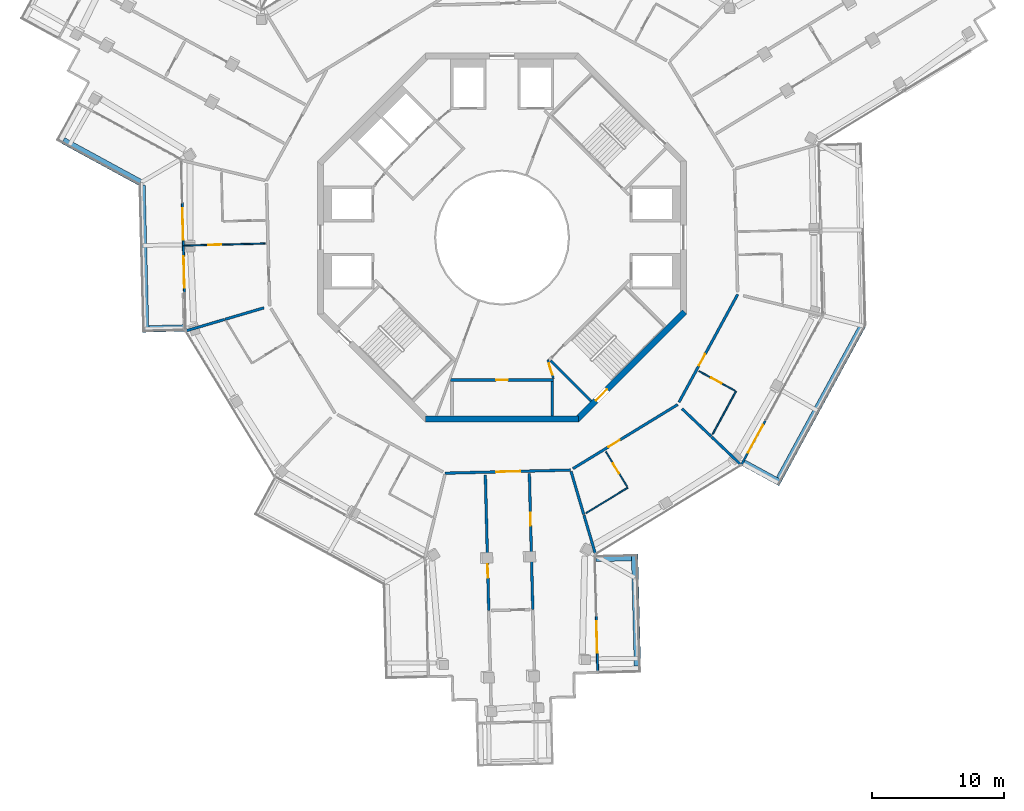
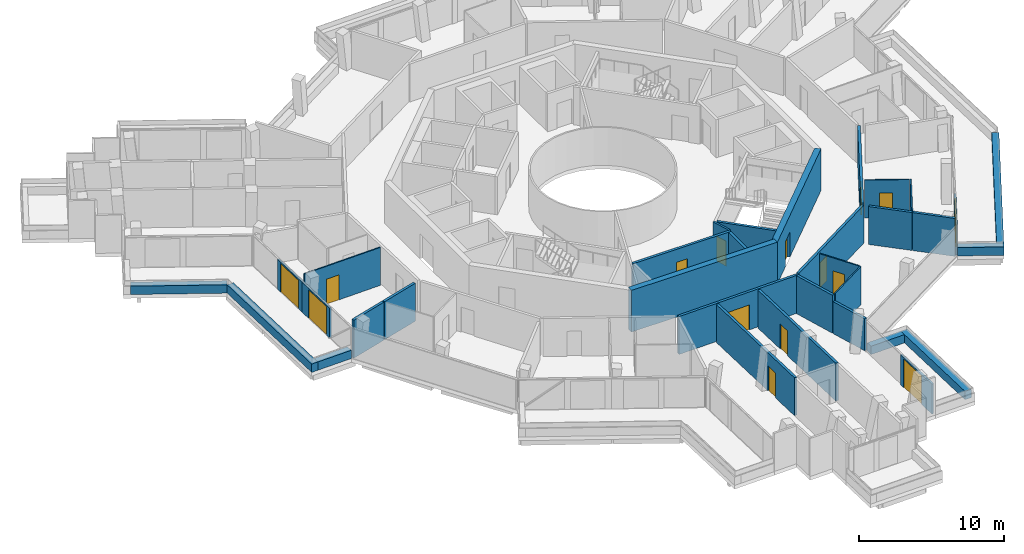
# One storey, part 19 of 26: 33 walls, 15 doors, 15 openings.
"""IFC4 building model written with IfcOpenShell, lengths in metres."""

from ifc_helpers import new_model, si_unit, direction, frame, frame_2d, origin, place, context, subcontext, project, spatial, rectangle, extrude, material, layer, layer_set, type_object, element, fill, save


model = new_model("IFC4")

# Units and contexts
model_context = context("Model", 3, precision=1e-05, world=origin(), true_north=direction((0.0, 1.0)))
body_context = subcontext(model_context, "Body", "Model", "MODEL_VIEW")
ifc_project = project(units=[si_unit("LENGTHUNIT", "METRE"), si_unit("AREAUNIT", "SQUARE_METRE"), si_unit("VOLUMEUNIT", "CUBIC_METRE"), si_unit("PLANEANGLEUNIT", "RADIAN"), si_unit("MASSUNIT", "GRAM", prefix="KILO")], contexts=[model_context])

# Site, building, storey
site_placement = place(None, origin())
site = spatial("IfcSite", under=ifc_project, at=site_placement, CompositionType="ELEMENT")
building_placement = place(site_placement, origin())
building = spatial("IfcBuilding", under=site, at=building_placement, Name="Verdalira Terraces Hotel", CompositionType="ELEMENT")
storey_placement = place(building_placement, frame((0.0, 0.0, 284.5)))
storey = spatial("IfcBuildingStorey", under=building, at=storey_placement, Name="L70", CompositionType="ELEMENT", Elevation=284.5)

# Walls
ifc_material_1 = material(Name="Concrete C40", Category="concrete")
ifc_layer_1 = layer(ifc_material_1, 0.5)
ifc_layer_set_1 = layer_set([ifc_layer_1], Name="Balcony planter trough with tree")
wall_type_1 = type_object("IfcWallType", Name="Balcony planter trough with tree", PredefinedType="SOLIDWALL", material=ifc_layer_set_1)
wall_1_placement = place(storey_placement, frame((-33.286377, 7.358887, 0.0), z_axis=(0.0, 0.0, 1.0), x_axis=(0.878330268, -0.478054328, 0.0)))
element("IfcWall", 1, at=wall_1_placement, inside=storey, type_object=wall_type_1, Name="Balcony planter", PredefinedType="SOLIDWALL", context=body_context, shape_type="SweptSolid", body=[
    extrude(rectangle(XDim=6.648193, YDim=0.5, at=frame_2d((3.324219, 0.0))), origin(), (0.0, 0.0, 1.0), 0.699951),
])
wall_2_placement = place(storey_placement, frame((-27.31665, 3.967285, 0.0), z_axis=(0.0, 0.0, 1.0), x_axis=(0.025131113, -0.999684164, 0.0)))
element("IfcWall", 2, at=wall_2_placement, inside=storey, type_object=wall_type_1, Name="Balcony planter", PredefinedType="SOLIDWALL", context=body_context, shape_type="SweptSolid", body=[
    extrude(rectangle(XDim=11.152344, YDim=0.5, at=frame_2d((5.576172, 0.0))), origin(), (0.0, 0.0, 1.0), 0.699951),
])
wall_3_placement = place(storey_placement, frame((-26.792725, -6.925537, 0.0), z_axis=(0.0, 0.0, 1.0), x_axis=(0.999683736, 0.025148138, 0.0)))
element("IfcWall", 3, at=wall_3_placement, inside=storey, type_object=wall_type_1, Name="Balcony planter", PredefinedType="SOLIDWALL", context=body_context, shape_type="SweptSolid", body=[
    extrude(rectangle(XDim=2.69873, YDim=0.5, at=frame_2d((1.349365, 0.0))), origin(), (0.0, 0.0, 1.0), 0.699951),
])
wall_4_placement = place(storey_placement, frame((10.27002, -32.506348, 0.0), z_axis=(0.0, 0.0, 1.0), x_axis=(-0.025115681, 0.999684552, 0.0)))
element("IfcWall", 4, at=wall_4_placement, inside=storey, type_object=wall_type_1, Name="Balcony planter", PredefinedType="SOLIDWALL", context=body_context, shape_type="SweptSolid", body=[
    extrude(rectangle(XDim=8.49585, YDim=0.5, at=frame_2d((4.248047, 0.0))), origin(), (0.0, 0.0, 1.0), 0.699951),
])
wall_5_placement = place(storey_placement, frame((9.812988, -24.269287, 0.0), z_axis=(0.0, 0.0, 1.0), x_axis=(-0.999683793, -0.025145864, 0.0)))
element("IfcWall", 5, at=wall_5_placement, inside=storey, type_object=wall_type_1, Name="Balcony planter", PredefinedType="SOLIDWALL", context=body_context, shape_type="SweptSolid", body=[
    extrude(rectangle(XDim=2.698975, YDim=0.5, at=frame_2d((1.349609, 0.0))), origin(), (0.0, 0.0, 1.0), 0.699951),
])
wall_6_placement = place(storey_placement, frame((18.319336, -17.087402, 0.0), z_axis=(0.0, 0.0, 1.0), x_axis=(0.878332693, -0.478049873, 0.0)))
element("IfcWall", 6, at=wall_6_placement, inside=storey, type_object=wall_type_1, Name="Balcony planter", PredefinedType="SOLIDWALL", context=body_context, shape_type="SweptSolid", body=[
    extrude(rectangle(XDim=3.198975, YDim=0.5, at=frame_2d((1.599609, 0.0))), origin(), (0.0, 0.0, 1.0), 0.699951),
])
wall_7_placement = place(storey_placement, frame((21.029053, -18.277588, 0.0), z_axis=(0.0, 0.0, 1.0), x_axis=(0.478078384, 0.878317174, 0.0)))
element("IfcWall", 7, at=wall_7_placement, inside=storey, type_object=wall_type_1, Name="Balcony planter", PredefinedType="SOLIDWALL", context=body_context, shape_type="SweptSolid", body=[
    extrude(rectangle(XDim=13.223389, YDim=0.5, at=frame_2d((6.611816, 0.0))), origin(), (0.0, 0.0, 1.0), 0.699951),
])

# Wall, opening, door
ifc_material_2 = material(Name="Moisture-resistant gypsum board partition")
ifc_layer_2 = layer(ifc_material_2, 0.10009765625)
ifc_layer_set_2 = layer_set([ifc_layer_2], Name="Bathroom partition 100 mm")
wall_type_2 = type_object("IfcWallType", Name="Bathroom partition 100 mm", PredefinedType="PARTITIONING", material=ifc_layer_set_2)
wall_8_placement = place(storey_placement, frame((-24.100586, -0.605713, 0.0), z_axis=(0.0, 0.0, 1.0), x_axis=(0.999685212, 0.025089391, 0.0)))
wall_8 = element("IfcWall", 8, at=wall_8_placement, inside=storey, type_object=wall_type_2, Name="Bathroom partition", PredefinedType="PARTITIONING", context=body_context, shape_type="SweptSolid", body=[
    extrude(rectangle(XDim=6.149902, YDim=0.100098, at=frame_2d((3.074951, 0.0))), origin(), (0.0, 0.0, 1.0), 3.189941),
])
opening_1_placement = place(wall_8_placement, frame((1.800049, 0.0, 0.0)))
opening_1 = element("IfcOpeningElement", 9, at=opening_1_placement, cuts=wall_8, Name="Opening L70-106", PredefinedType="OPENING", context=body_context, shape_type="SweptSolid", body=[
    extrude(rectangle(XDim=1.0, YDim=2.100098, at=frame_2d((0.5, 1.050049))), frame((0.0, 0.060059, 0.0), z_axis=(0.0, -1.0, 0.0), x_axis=(1.0, 0.0, 0.0)), (0.0, 0.0, 1.0), 0.120117),
])
ifc_material_3 = material(Name="Timber door", Category="wood")
door_type_1 = type_object("IfcDoorType", Name="Suite internal door 1000 x 2100", OperationType="NOTDEFINED", PredefinedType="DOOR", material=ifc_material_3)
door_1_placement = place(opening_1_placement, origin())
door_1 = element("IfcDoor", 10, at=door_1_placement, inside=storey, type_object=door_type_1, Name="Suite internal door 7002", OperationType="SINGLE_SWING_LEFT", OverallHeight=2.10009765625, OverallWidth=1.0, PredefinedType="DOOR", context=body_context, shape_type="SweptSolid", body=[
    extrude(rectangle(XDim=1.0, YDim=2.100098, at=frame_2d((0.5, 1.050049))), frame((0.0, 0.024902, 0.0), z_axis=(0.0, -1.0, 0.0), x_axis=(1.0, 0.0, 0.0)), (0.0, 0.0, 1.0), 0.050049),
])
fill(opening_1, door_1)

# Wall
wall_9_placement = place(storey_placement, frame((9.536133, -18.969238, 0.0), z_axis=(0.0, 0.0, 1.0), x_axis=(-0.853200356, -0.521583314, 0.0)))
element("IfcWall", 11, at=wall_9_placement, inside=storey, type_object=wall_type_2, Name="Bathroom partition", PredefinedType="PARTITIONING", context=body_context, shape_type="SweptSolid", body=[
    extrude(rectangle(XDim=3.703857, YDim=0.100098, at=frame_2d((1.852051, 0.0))), origin(), (0.0, 0.0, 1.0), 3.189941),
])

# Wall, opening, door
wall_10_placement = place(storey_placement, frame((9.483887, -18.883789, 0.0), z_axis=(0.0, 0.0, 1.0), x_axis=(-0.521612471, 0.85318253, 0.0)))
wall_10 = element("IfcWall", 12, at=wall_10_placement, inside=storey, type_object=wall_type_2, Name="Bathroom partition", PredefinedType="PARTITIONING", context=body_context, shape_type="SweptSolid", body=[
    extrude(rectangle(XDim=3.099854, YDim=0.100098, at=frame_2d((1.549805, 0.0))), origin(), (0.0, 0.0, 1.0), 3.189941),
])
opening_2_placement = place(wall_10_placement, frame((1.149902, 0.0, 0.0)))
opening_2 = element("IfcOpeningElement", 13, at=opening_2_placement, cuts=wall_10, Name="Opening L70-118", PredefinedType="OPENING", context=body_context, shape_type="SweptSolid", body=[
    extrude(rectangle(XDim=0.899902, YDim=2.100098, at=frame_2d((0.449951, 1.050049))), frame((0.0, 0.060059, 0.0), z_axis=(0.0, -1.0, 0.0), x_axis=(1.0, 0.0, 0.0)), (0.0, 0.0, 1.0), 0.120117),
])
ifc_material_4 = material(Name="Timber door", Category="wood")
door_type_2 = type_object("IfcDoorType", Name="Bathroom door 900 x 2100", OperationType="NOTDEFINED", PredefinedType="DOOR", material=ifc_material_4)
door_2_placement = place(opening_2_placement, origin())
door_2 = element("IfcDoor", 14, at=door_2_placement, inside=storey, type_object=door_type_2, Name="Bathroom door 7006", OperationType="SINGLE_SWING_LEFT", OverallHeight=2.10009765625, OverallWidth=0.89990234375, PredefinedType="DOOR", context=body_context, shape_type="SweptSolid", body=[
    extrude(rectangle(XDim=0.899902, YDim=2.100098, at=frame_2d((0.449951, 1.050049))), frame((0.0, 0.024902, 0.0), z_axis=(0.0, -1.0, 0.0), x_axis=(1.0, 0.0, 0.0)), (0.0, 0.0, 1.0), 0.050049),
])
fill(opening_2, door_2)

wall_11_placement = place(storey_placement, frame((17.655273, -11.611816, 0.0), z_axis=(0.0, 0.0, 1.0), x_axis=(-0.87832263, 0.478068361, 0.0)))
wall_11 = element("IfcWall", 15, at=wall_11_placement, inside=storey, type_object=wall_type_2, Name="Bathroom partition", PredefinedType="PARTITIONING", context=body_context, shape_type="SweptSolid", body=[
    extrude(rectangle(XDim=3.099854, YDim=0.100098, at=frame_2d((1.549805, 0.0))), origin(), (0.0, 0.0, 1.0), 3.189941),
])
opening_3_placement = place(wall_11_placement, frame((1.149902, 0.0, 0.0)))
opening_3 = element("IfcOpeningElement", 16, at=opening_3_placement, cuts=wall_11, Name="Opening L70-120", PredefinedType="OPENING", context=body_context, shape_type="SweptSolid", body=[
    extrude(rectangle(XDim=0.899902, YDim=2.100098, at=frame_2d((0.449951, 1.050049))), frame((0.0, 0.060059, 0.0), z_axis=(0.0, -1.0, 0.0), x_axis=(1.0, 0.0, 0.0)), (0.0, 0.0, 1.0), 0.120117),
])
door_3_placement = place(opening_3_placement, origin())
door_3 = element("IfcDoor", 17, at=door_3_placement, inside=storey, type_object=door_type_2, Name="Bathroom door 7007", OperationType="SINGLE_SWING_LEFT", OverallHeight=2.10009765625, OverallWidth=0.89990234375, PredefinedType="DOOR", context=body_context, shape_type="SweptSolid", body=[
    extrude(rectangle(XDim=0.899902, YDim=2.100098, at=frame_2d((0.449951, 1.050049))), frame((0.0, 0.024902, 0.0), z_axis=(0.0, -1.0, 0.0), x_axis=(1.0, 0.0, 0.0)), (0.0, 0.0, 1.0), 0.050049),
])
fill(opening_3, door_3)

# Wall
wall_12_placement = place(storey_placement, frame((17.743164, -11.659668, 0.0), z_axis=(0.0, 0.0, 1.0), x_axis=(-0.478053023, -0.878330978, 0.0)))
element("IfcWall", 18, at=wall_12_placement, inside=storey, type_object=wall_type_2, Name="Bathroom partition", PredefinedType="PARTITIONING", context=body_context, shape_type="SweptSolid", body=[
    extrude(rectangle(XDim=3.704102, YDim=0.100098, at=frame_2d((1.852051, 0.0))), origin(), (0.0, 0.0, 1.0), 3.189941),
])

# Wall, opening, door
ifc_material_5 = material(Name="Concrete C50", Category="concrete")
ifc_layer_3 = layer(ifc_material_5, 0.199951171875)
ifc_layer_set_3 = layer_set([ifc_layer_3], Name="Core RC wall 200 C50")
wall_type_3 = type_object("IfcWallType", Name="Core RC wall 200 C50", PredefinedType="SOLIDWALL", material=ifc_layer_set_3)
wall_13_placement = place(storey_placement, frame((-3.899902, -10.800049, 0.0), z_axis=(0.0, 0.0, 1.0), x_axis=(1.0, 0.0, 0.0)))
wall_13 = element("IfcWall", 19, at=wall_13_placement, inside=storey, type_object=wall_type_3, Name="L70 store front wall", PredefinedType="SOLIDWALL", context=body_context, shape_type="SweptSolid", body=[
    extrude(rectangle(XDim=7.799805, YDim=0.199951, at=frame_2d((3.899902, 0.0))), origin(), (0.0, 0.0, 1.0), 3.189941),
])
opening_4_placement = place(wall_13_placement, frame((3.449951, 0.0, 0.0)))
opening_4 = element("IfcOpeningElement", 20, at=opening_4_placement, cuts=wall_13, Name="Opening L70-801", PredefinedType="OPENING", context=body_context, shape_type="SweptSolid", body=[
    extrude(rectangle(XDim=0.899902, YDim=2.100098, at=frame_2d((0.449951, 1.050049))), frame((0.0, 0.109863, 0.0), z_axis=(0.0, -1.0, 0.0), x_axis=(1.0, 0.0, 0.0)), (0.0, 0.0, 1.0), 0.219971),
])
ifc_material_6 = material(Name="Steel fire door", Category="steel")
door_type_3 = type_object("IfcDoorType", Name="Core room door 900 x 2100", OperationType="NOTDEFINED", PredefinedType="DOOR", material=ifc_material_6)
door_4_placement = place(opening_4_placement, origin())
door_4 = element("IfcDoor", 21, at=door_4_placement, inside=storey, type_object=door_type_3, Name="Store door L70 SS", OperationType="SINGLE_SWING_LEFT", OverallHeight=2.10009765625, OverallWidth=0.89990234375, PredefinedType="DOOR", context=body_context, shape_type="SweptSolid", body=[
    extrude(rectangle(XDim=0.899902, YDim=2.100098, at=frame_2d((0.449951, 1.050049))), frame((0.0, 0.024902, 0.0), z_axis=(0.0, -1.0, 0.0), x_axis=(1.0, 0.0, 0.0)), (0.0, 0.0, 1.0), 0.050049),
])
fill(opening_4, door_4)

# Walls
wall_14_placement = place(storey_placement, frame((3.800049, -10.899902, 0.0), z_axis=(0.0, 0.0, 1.0), x_axis=(0.0, -1.0, 0.0)))
element("IfcWall", 22, at=wall_14_placement, inside=storey, type_object=wall_type_3, Name="L70 store side wall", PredefinedType="SOLIDWALL", context=body_context, shape_type="SweptSolid", body=[
    extrude(rectangle(XDim=2.650146, YDim=0.199951, at=frame_2d((1.325195, 0.0))), origin(), (0.0, 0.0, 1.0), 3.189941),
])
wall_15_placement = place(storey_placement, frame((3.677002, -9.33374, 0.0), z_axis=(0.0, 0.0, 1.0), x_axis=(0.707106781, -0.707106781, 0.0)))
element("IfcWall", 23, at=wall_15_placement, inside=storey, type_object=wall_type_3, Name="L70 stair ST3 end wall 1", PredefinedType="SOLIDWALL", context=body_context, shape_type="SweptSolid", body=[
    extrude(rectangle(XDim=4.350098, YDim=0.199951, at=frame_2d((2.175049, 0.0))), origin(), (0.0, 0.0, 1.0), 3.189941),
])

# Wall, opening, door
ifc_material_7 = material(Name="Gypsum board partition")
ifc_layer_4 = layer(ifc_material_7, 0.14990234375)
ifc_layer_set_4 = layer_set([ifc_layer_4], Name="Core partition 150 mm")
wall_type_4 = type_object("IfcWallType", Name="Core partition 150 mm", PredefinedType="PARTITIONING", material=ifc_layer_set_4)
wall_16_placement = place(storey_placement, frame((3.899902, -10.699951, 0.0), z_axis=(0.0, 0.0, 1.0), x_axis=(-0.289808785, 0.957084567, 0.0)))
wall_16 = element("IfcWall", 24, at=wall_16_placement, inside=storey, type_object=wall_type_4, Name="Room partition L70", PredefinedType="PARTITIONING", context=body_context, shape_type="SweptSolid", body=[
    extrude(rectangle(XDim=1.501221, YDim=0.149902, at=frame_2d((0.750488, 0.0))), origin(), (0.0, 0.0, 1.0), 3.189941),
])
opening_5_placement = place(wall_16_placement, frame((0.300781, 0.0, 0.0)))
opening_5 = element("IfcOpeningElement", 25, at=opening_5_placement, cuts=wall_16, Name="Opening L70-822", PredefinedType="OPENING", context=body_context, shape_type="SweptSolid", body=[
    extrude(rectangle(XDim=0.899902, YDim=2.100098, at=frame_2d((0.449951, 1.050049))), frame((0.0, 0.084961, 0.0), z_axis=(0.0, -1.0, 0.0), x_axis=(1.0, 0.0, 0.0)), (0.0, 0.0, 1.0), 0.169922),
])
door_5_placement = place(opening_5_placement, origin())
door_5 = element("IfcDoor", 26, at=door_5_placement, inside=storey, type_object=door_type_3, Name="Door L70 room6", OperationType="SINGLE_SWING_LEFT", OverallHeight=2.10009765625, OverallWidth=0.89990234375, PredefinedType="DOOR", context=body_context, shape_type="SweptSolid", body=[
    extrude(rectangle(XDim=0.899902, YDim=2.100098, at=frame_2d((0.449951, 1.050049))), frame((0.0, 0.024902, 0.0), z_axis=(0.0, -1.0, 0.0), x_axis=(1.0, 0.0, 0.0)), (0.0, 0.0, 1.0), 0.050049),
])
fill(opening_5, door_5)

# Wall
ifc_material_8 = material(Name="Concrete C50", Category="concrete")
ifc_layer_5 = layer(ifc_material_8, 0.449951171875)
ifc_layer_set_5 = layer_set([ifc_layer_5], Name="Core wall 450 C50")
wall_type_5 = type_object("IfcWallType", Name="Core wall 450 C50", PredefinedType="SHEAR", material=ifc_layer_set_5)
wall_17_placement = place(storey_placement, frame((-5.799072, -13.774902, 0.0), z_axis=(0.0, 0.0, 1.0), x_axis=(1.0, 0.0, 0.0)))
element("IfcWall", 27, at=wall_17_placement, inside=storey, type_object=wall_type_5, Name="Core wall CW-L70-7", PredefinedType="SHEAR", context=body_context, shape_type="SweptSolid", body=[
    extrude(rectangle(XDim=11.598145, YDim=0.449951, at=frame_2d((5.799072, 0.0))), origin(), (0.0, 0.0, 1.0), 3.5),
])

# Wall, opening, door
wall_18_placement = place(storey_placement, frame((5.639893, -13.84082, 0.0), z_axis=(0.0, 0.0, 1.0), x_axis=(0.707106781, 0.707106781, 0.0)))
wall_18 = element("IfcWall", 28, at=wall_18_placement, inside=storey, type_object=wall_type_5, Name="Core wall CW-L70-8", PredefinedType="SHEAR", context=body_context, shape_type="SweptSolid", body=[
    extrude(rectangle(XDim=11.5979, YDim=0.449951, at=frame_2d((5.798828, 0.0))), origin(), (0.0, 0.0, 1.0), 3.5),
])
opening_6_placement = place(wall_18_placement, frame((2.099121, 0.0, 0.0)))
opening_6 = element("IfcOpeningElement", 29, at=opening_6_placement, cuts=wall_18, Name="Opening L70-818", PredefinedType="OPENING", context=body_context, shape_type="SweptSolid", body=[
    extrude(rectangle(XDim=1.199951, YDim=2.100098, at=frame_2d((0.600098, 1.050049))), frame((0.0, 0.234863, 0.0), z_axis=(0.0, -1.0, 0.0), x_axis=(1.0, 0.0, 0.0)), (0.0, 0.0, 1.0), 0.469971),
])
ifc_material_9 = material(Name="Steel fire door", Category="steel")
door_type_4 = type_object("IfcDoorType", Name="Stair door 1200 x 2100", OperationType="NOTDEFINED", PredefinedType="DOOR", material=ifc_material_9)
door_6_placement = place(opening_6_placement, origin())
door_6 = element("IfcDoor", 30, at=door_6_placement, inside=storey, type_object=door_type_4, Name="Stair exit door ST3 L70", OperationType="SINGLE_SWING_LEFT", OverallHeight=2.10009765625, OverallWidth=1.199951171875, PredefinedType="DOOR", context=body_context, shape_type="SweptSolid", body=[
    extrude(rectangle(XDim=1.199951, YDim=2.100098, at=frame_2d((0.600098, 1.050049))), frame((0.0, 0.024902, 0.0), z_axis=(0.0, -1.0, 0.0), x_axis=(1.0, 0.0, 0.0)), (0.0, 0.0, 1.0), 0.050049),
])
fill(opening_6, door_6)

# Walls
ifc_material_10 = material(Name="Fire-rated gypsum board wall")
ifc_layer_6 = layer(ifc_material_10, 0.199951171875)
ifc_layer_set_6 = layer_set([ifc_layer_6], Name="Demising wall 200 mm")
wall_type_6 = type_object("IfcWallType", Name="Demising wall 200 mm", PredefinedType="SOLIDWALL", material=ifc_layer_set_6)
wall_19_placement = place(storey_placement, frame((-21.055176, -6.212891, 0.0), z_axis=(0.0, 0.0, 1.0), x_axis=(-0.95911728, -0.283008911, 0.0)))
element("IfcWall", 31, at=wall_19_placement, inside=storey, type_object=wall_type_6, Name="Demising wall", PredefinedType="SOLIDWALL", context=body_context, shape_type="SweptSolid", body=[
    extrude(rectangle(XDim=3.011475, YDim=0.199951, at=frame_2d((1.505859, 0.0))), origin(), (0.0, 0.0, 1.0), 3.189941),
])
wall_20_placement = place(storey_placement, frame((-18.062012, -5.32959, 0.0), z_axis=(0.0, 0.0, 1.0), x_axis=(-0.959121115, -0.282995915, 0.0)))
element("IfcWall", 32, at=wall_20_placement, inside=storey, type_object=wall_type_6, Name="Demising wall", PredefinedType="SOLIDWALL", context=body_context, shape_type="SweptSolid", body=[
    extrude(rectangle(XDim=3.074707, YDim=0.199951, at=frame_2d((1.537354, 0.0))), origin(), (0.0, 0.0, 1.0), 3.189941),
])

# Wall, opening, door
wall_21_placement = place(storey_placement, frame((-1.009766, -28.294678, 0.0), z_axis=(0.0, 0.0, 1.0), x_axis=(-0.025143764, 0.999683846, 0.0)))
wall_21 = element("IfcWall", 33, at=wall_21_placement, inside=storey, type_object=wall_type_6, Name="Demising wall", PredefinedType="SOLIDWALL", context=body_context, shape_type="SweptSolid", body=[
    extrude(rectangle(XDim=10.302002, YDim=0.199951, at=frame_2d((5.150879, 0.0))), origin(), (0.0, 0.0, 1.0), 3.189941),
])
opening_7_placement = place(wall_21_placement, frame((2.5, 0.0, 0.0)))
opening_7 = element("IfcOpeningElement", 34, at=opening_7_placement, cuts=wall_21, Name="Opening L70-114", PredefinedType="OPENING", context=body_context, shape_type="SweptSolid", body=[
    extrude(rectangle(XDim=1.0, YDim=2.100098, at=frame_2d((0.5, 1.050049))), frame((0.0, 0.109863, 0.0), z_axis=(0.0, -1.0, 0.0), x_axis=(1.0, 0.0, 0.0)), (0.0, 0.0, 1.0), 0.219971),
])
ifc_material_11 = material(Name="Timber fire door", Category="wood")
door_type_5 = type_object("IfcDoorType", Name="Public room door 1000 x 2100", OperationType="NOTDEFINED", PredefinedType="DOOR", material=ifc_material_11)
door_7_placement = place(opening_7_placement, origin())
door_7 = element("IfcDoor", 35, at=door_7_placement, inside=storey, type_object=door_type_5, Name="Public room door 7005", OperationType="SINGLE_SWING_LEFT", OverallHeight=2.10009765625, OverallWidth=1.0, PredefinedType="DOOR", context=body_context, shape_type="SweptSolid", body=[
    extrude(rectangle(XDim=1.0, YDim=2.100098, at=frame_2d((0.5, 1.050049))), frame((0.0, 0.024902, 0.0), z_axis=(0.0, -1.0, 0.0), x_axis=(1.0, 0.0, 0.0)), (0.0, 0.0, 1.0), 0.050049),
])
fill(opening_7, door_7)

wall_22_placement = place(storey_placement, frame((2.071289, -17.911865, 0.0), z_axis=(0.0, 0.0, 1.0), x_axis=(0.025143764, -0.999683846, 0.0)))
wall_22 = element("IfcWall", 36, at=wall_22_placement, inside=storey, type_object=wall_type_6, Name="Demising wall", PredefinedType="SOLIDWALL", context=body_context, shape_type="SweptSolid", body=[
    extrude(rectangle(XDim=10.302002, YDim=0.199951, at=frame_2d((5.150879, 0.0))), origin(), (0.0, 0.0, 1.0), 3.189941),
])
opening_8_placement = place(wall_22_placement, frame((2.949951, 0.0, 0.0)))
opening_8 = element("IfcOpeningElement", 37, at=opening_8_placement, cuts=wall_22, Name="Opening L70-115", PredefinedType="OPENING", context=body_context, shape_type="SweptSolid", body=[
    extrude(rectangle(XDim=1.0, YDim=2.100098, at=frame_2d((0.5, 1.050049))), frame((0.0, 0.109863, 0.0), z_axis=(0.0, -1.0, 0.0), x_axis=(1.0, 0.0, 0.0)), (0.0, 0.0, 1.0), 0.219971),
])
door_8_placement = place(opening_8_placement, origin())
door_8 = element("IfcDoor", 38, at=door_8_placement, inside=storey, type_object=door_type_5, Name="Public room door 7005", OperationType="SINGLE_SWING_LEFT", OverallHeight=2.10009765625, OverallWidth=1.0, PredefinedType="DOOR", context=body_context, shape_type="SweptSolid", body=[
    extrude(rectangle(XDim=1.0, YDim=2.100098, at=frame_2d((0.5, 1.050049))), frame((0.0, 0.024902, 0.0), z_axis=(0.0, -1.0, 0.0), x_axis=(1.0, 0.0, 0.0)), (0.0, 0.0, 1.0), 0.050049),
])
fill(opening_8, door_8)

# Walls
wall_23_placement = place(storey_placement, frame((5.232422, -17.732422, 0.0), z_axis=(0.0, 0.0, 1.0), x_axis=(0.282974385, -0.959127467, 0.0)))
element("IfcWall", 39, at=wall_23_placement, inside=storey, type_object=wall_type_6, Name="Demising wall", PredefinedType="SOLIDWALL", context=body_context, shape_type="SweptSolid", body=[
    extrude(rectangle(XDim=3.418213, YDim=0.199951, at=frame_2d((1.708984, 0.0))), origin(), (0.0, 0.0, 1.0), 3.189941),
])
wall_24_placement = place(storey_placement, frame((13.646729, -12.977295, 0.0), z_axis=(0.0, 0.0, 1.0), x_axis=(0.724630592, -0.689137509, 0.0)))
element("IfcWall", 40, at=wall_24_placement, inside=storey, type_object=wall_type_6, Name="Demising wall", PredefinedType="SOLIDWALL", context=body_context, shape_type="SweptSolid", body=[
    extrude(rectangle(XDim=3.074707, YDim=0.199951, at=frame_2d((1.537354, 0.0))), origin(), (0.0, 0.0, 1.0), 3.189941),
])
wall_25_placement = place(storey_placement, frame((15.908203, -15.12793, 0.0), z_axis=(0.0, 0.0, 1.0), x_axis=(0.724639029, -0.689128636, 0.0)))
element("IfcWall", 41, at=wall_25_placement, inside=storey, type_object=wall_type_6, Name="Demising wall", PredefinedType="SOLIDWALL", context=body_context, shape_type="SweptSolid", body=[
    extrude(rectangle(XDim=3.01123, YDim=0.199951, at=frame_2d((1.505615, 0.0))), origin(), (0.0, 0.0, 1.0), 3.189941),
])
ifc_material_12 = material(Name="Fire-rated gypsum board wall")
ifc_layer_7 = layer(ifc_material_12, 0.199951171875)
ifc_layer_set_7 = layer_set([ifc_layer_7], Name="Demising wall 200 mm to beam soffit")
wall_type_7 = type_object("IfcWallType", Name="Demising wall 200 mm to beam soffit", PredefinedType="SOLIDWALL", material=ifc_layer_set_7)
wall_26_placement = place(storey_placement, frame((6.212891, -21.055176, 0.0), z_axis=(0.0, 0.0, 1.0), x_axis=(0.283008911, -0.95911728, 0.0)))
element("IfcWall", 42, at=wall_26_placement, inside=storey, type_object=wall_type_7, Name="Demising wall", PredefinedType="SOLIDWALL", context=body_context, shape_type="SweptSolid", body=[
    extrude(rectangle(XDim=3.011475, YDim=0.199951, at=frame_2d((1.505859, 0.0))), origin(), (0.0, 0.0, 1.0), 2.689941),
])

# Wall, opening, door
ifc_material_13 = material(Name="Fire-rated gypsum board wall")
ifc_layer_8 = layer(ifc_material_13, 0.199951171875)
ifc_layer_set_8 = layer_set([ifc_layer_8], Name="Guest corridor wall 200 mm")
wall_type_8 = type_object("IfcWallType", Name="Guest corridor wall 200 mm", PredefinedType="SOLIDWALL", material=ifc_layer_set_8)
wall_27_placement = place(storey_placement, frame((5.203125, -17.633057, 0.0), z_axis=(0.0, 0.0, 1.0), x_axis=(-0.999683918, -0.025140891, 0.0)))
wall_27 = element("IfcWall", 43, at=wall_27_placement, inside=storey, type_object=wall_type_8, Name="Guest corridor wall", PredefinedType="SOLIDWALL", context=body_context, shape_type="SweptSolid", body=[
    extrude(rectangle(XDim=9.516602, YDim=0.199951, at=frame_2d((4.758301, 0.0))), origin(), (0.0, 0.0, 1.0), 3.189941),
])
opening_9_placement = place(wall_27_placement, frame((3.837646, 0.0, 0.0)))
opening_9 = element("IfcOpeningElement", 44, at=opening_9_placement, cuts=wall_27, Name="Opening L70-113", PredefinedType="OPENING", context=body_context, shape_type="SweptSolid", body=[
    extrude(rectangle(XDim=1.800049, YDim=2.100098, at=frame_2d((0.899902, 1.050049))), frame((0.0, 0.109863, 0.0), z_axis=(0.0, -1.0, 0.0), x_axis=(1.0, 0.0, 0.0)), (0.0, 0.0, 1.0), 0.219971),
])
ifc_material_14 = material(Name="Timber fire door", Category="wood")
door_type_6 = type_object("IfcDoorType", Name="Public room double door 1800 x 2100", OperationType="NOTDEFINED", PredefinedType="DOOR", material=ifc_material_14)
door_9_placement = place(opening_9_placement, origin())
door_9 = element("IfcDoor", 45, at=door_9_placement, inside=storey, type_object=door_type_6, Name="Public room double door 7005", OperationType="DOUBLE_DOOR_SINGLE_SWING", OverallHeight=2.10009765625, OverallWidth=1.800048828125, PredefinedType="DOOR", context=body_context, shape_type="SweptSolid", body=[
    extrude(rectangle(XDim=1.800049, YDim=2.100098, at=frame_2d((0.899902, 1.050049))), frame((0.0, 0.024902, 0.0), z_axis=(0.0, -1.0, 0.0), x_axis=(1.0, 0.0, 0.0)), (0.0, 0.0, 1.0), 0.050049),
])
fill(opening_9, door_9)

wall_28_placement = place(storey_placement, frame((13.32251, -12.669189, 0.0), z_axis=(0.0, 0.0, 1.0), x_axis=(-0.853183358, -0.521611117, 0.0)))
wall_28 = element("IfcWall", 46, at=wall_28_placement, inside=storey, type_object=wall_type_8, Name="Guest corridor wall", PredefinedType="SOLIDWALL", context=body_context, shape_type="SweptSolid", body=[
    extrude(rectangle(XDim=9.31665, YDim=0.199951, at=frame_2d((4.658203, 0.0))), origin(), (0.0, 0.0, 1.0), 3.189941),
])
opening_10_placement = place(wall_28_placement, frame((5.149902, 0.0, 0.0)))
opening_10 = element("IfcOpeningElement", 47, at=opening_10_placement, cuts=wall_28, Name="Opening L70-117", PredefinedType="OPENING", context=body_context, shape_type="SweptSolid", body=[
    extrude(rectangle(XDim=1.0, YDim=2.100098, at=frame_2d((0.5, 1.050049))), frame((0.0, 0.109863, 0.0), z_axis=(0.0, -1.0, 0.0), x_axis=(1.0, 0.0, 0.0)), (0.0, 0.0, 1.0), 0.219971),
])
ifc_material_15 = material(Name="Timber fire door", Category="wood")
door_type_7 = type_object("IfcDoorType", Name="Guest entry door 1000 x 2100", OperationType="NOTDEFINED", PredefinedType="DOOR", material=ifc_material_15)
door_10_placement = place(opening_10_placement, origin())
door_10 = element("IfcDoor", 48, at=door_10_placement, inside=storey, type_object=door_type_7, Name="Guest entry door 7006", OperationType="SINGLE_SWING_LEFT", OverallHeight=2.10009765625, OverallWidth=1.0, PredefinedType="DOOR", context=body_context, shape_type="SweptSolid", body=[
    extrude(rectangle(XDim=1.0, YDim=2.100098, at=frame_2d((0.5, 1.050049))), frame((0.0, 0.024902, 0.0), z_axis=(0.0, -1.0, 0.0), x_axis=(1.0, 0.0, 0.0)), (0.0, 0.0, 1.0), 0.050049),
])
fill(opening_10, door_10)

wall_29_placement = place(storey_placement, frame((17.872314, -4.310547, 0.0), z_axis=(0.0, 0.0, 1.0), x_axis=(-0.478084491, -0.87831385, 0.0)))
wall_29 = element("IfcWall", 49, at=wall_29_placement, inside=storey, type_object=wall_type_8, Name="Guest corridor wall", PredefinedType="SOLIDWALL", context=body_context, shape_type="SweptSolid", body=[
    extrude(rectangle(XDim=9.31665, YDim=0.199951, at=frame_2d((4.658203, 0.0))), origin(), (0.0, 0.0, 1.0), 3.189941),
])
opening_11_placement = place(wall_29_placement, frame((5.149902, 0.0, 0.0)))
opening_11 = element("IfcOpeningElement", 50, at=opening_11_placement, cuts=wall_29, Name="Opening L70-119", PredefinedType="OPENING", context=body_context, shape_type="SweptSolid", body=[
    extrude(rectangle(XDim=1.0, YDim=2.100098, at=frame_2d((0.5, 1.050049))), frame((0.0, 0.109863, 0.0), z_axis=(0.0, -1.0, 0.0), x_axis=(1.0, 0.0, 0.0)), (0.0, 0.0, 1.0), 0.219971),
])
door_11_placement = place(opening_11_placement, origin())
door_11 = element("IfcDoor", 51, at=door_11_placement, inside=storey, type_object=door_type_7, Name="Guest entry door 7007", OperationType="SINGLE_SWING_LEFT", OverallHeight=2.10009765625, OverallWidth=1.0, PredefinedType="DOOR", context=body_context, shape_type="SweptSolid", body=[
    extrude(rectangle(XDim=1.0, YDim=2.100098, at=frame_2d((0.5, 1.050049))), frame((0.0, 0.024902, 0.0), z_axis=(0.0, -1.0, 0.0), x_axis=(1.0, 0.0, 0.0)), (0.0, 0.0, 1.0), 0.050049),
])
fill(opening_11, door_11)

ifc_material_16 = material(Name="Terracotta cladding", Category="masonry")
ifc_layer_9 = layer(ifc_material_16, 0.14990234375)
ifc_layer_set_9 = layer_set([ifc_layer_9], Name="Terracotta door pier 150")
wall_type_9 = type_object("IfcWallType", Name="Terracotta door pier 150", PredefinedType="SOLIDWALL", material=ifc_layer_set_9)
wall_30_placement = place(storey_placement, frame((-24.257324, 2.641357, 0.0), z_axis=(0.0, 0.0, 1.0), x_axis=(0.025089785, -0.999685202, 0.0)))
wall_30 = element("IfcWall", 52, at=wall_30_placement, inside=storey, type_object=wall_type_9, Name="Terracotta door pier", PredefinedType="SOLIDWALL", context=body_context, shape_type="SweptSolid", body=[
    extrude(rectangle(XDim=3.25, YDim=0.149902, at=frame_2d((1.625, 0.0))), origin(), (0.0, 0.0, 1.0), 2.524902),
])
opening_12_placement = place(wall_30_placement, frame((0.399902, 0.0, 0.0)))
opening_12 = element("IfcOpeningElement", 53, at=opening_12_placement, cuts=wall_30, Name="Opening L70-B04", PredefinedType="OPENING", context=body_context, shape_type="SweptSolid", body=[
    extrude(rectangle(XDim=2.399902, YDim=2.399902, at=frame_2d((1.199951, 1.199951))), frame((0.0, 0.084961, 0.0), z_axis=(0.0, -1.0, 0.0), x_axis=(1.0, 0.0, 0.0)), (0.0, 0.0, 1.0), 0.169922),
])
ifc_material_17 = material(Name="Clear glass", Category="glass")
door_type_8 = type_object("IfcDoorType", Name="Balcony sliding door 2400x2400", OperationType="NOTDEFINED", PredefinedType="DOOR", material=ifc_material_17)
door_12_placement = place(opening_12_placement, origin())
door_12 = element("IfcDoor", 54, at=door_12_placement, inside=storey, type_object=door_type_8, Name="Balcony sliding door", OperationType="SLIDING_TO_RIGHT", OverallHeight=2.39990234375, OverallWidth=2.39990234375, PredefinedType="DOOR", context=body_context, shape_type="SweptSolid", body=[
    extrude(rectangle(XDim=2.399902, YDim=2.399902, at=frame_2d((1.199951, 1.199951))), frame((0.0, 0.024902, 0.0), z_axis=(0.0, -1.0, 0.0), x_axis=(1.0, 0.0, 0.0)), (0.0, 0.0, 1.0), 0.050049),
])
fill(opening_12, door_12)

wall_31_placement = place(storey_placement, frame((-24.175781, -0.607666, 0.0), z_axis=(0.0, 0.0, 1.0), x_axis=(0.025149276, -0.999683707, 0.0)))
wall_31 = element("IfcWall", 55, at=wall_31_placement, inside=storey, type_object=wall_type_9, Name="Terracotta door pier", PredefinedType="SOLIDWALL", context=body_context, shape_type="SweptSolid", body=[
    extrude(rectangle(XDim=3.611328, YDim=0.149902, at=frame_2d((1.805664, 0.0))), origin(), (0.0, 0.0, 1.0), 2.524902),
])
opening_13_placement = place(wall_31_placement, frame((0.811279, 0.0, 0.0)))
opening_13 = element("IfcOpeningElement", 56, at=opening_13_placement, cuts=wall_31, Name="Opening L70-B05", PredefinedType="OPENING", context=body_context, shape_type="SweptSolid", body=[
    extrude(rectangle(XDim=2.399902, YDim=2.399902, at=frame_2d((1.199951, 1.199951))), frame((0.0, 0.084961, 0.0), z_axis=(0.0, -1.0, 0.0), x_axis=(1.0, 0.0, 0.0)), (0.0, 0.0, 1.0), 0.169922),
])
door_13_placement = place(opening_13_placement, origin())
door_13 = element("IfcDoor", 57, at=door_13_placement, inside=storey, type_object=door_type_8, Name="Balcony sliding door", OperationType="SLIDING_TO_LEFT", OverallHeight=2.39990234375, OverallWidth=2.39990234375, PredefinedType="DOOR", context=body_context, shape_type="SweptSolid", body=[
    extrude(rectangle(XDim=2.399902, YDim=2.399902, at=frame_2d((1.199951, 1.199951))), frame((0.0, 0.024902, 0.0), z_axis=(0.0, -1.0, 0.0), x_axis=(1.0, 0.0, 0.0)), (0.0, 0.0, 1.0), 0.050049),
])
fill(opening_13, door_13)

wall_32_placement = place(storey_placement, frame((7.253174, -32.862305, 0.0), z_axis=(0.0, 0.0, 1.0), x_axis=(-0.02511829, 0.999684486, 0.0)))
wall_32 = element("IfcWall", 58, at=wall_32_placement, inside=storey, type_object=wall_type_9, Name="Terracotta door pier", PredefinedType="SOLIDWALL", context=body_context, shape_type="SweptSolid", body=[
    extrude(rectangle(XDim=4.159912, YDim=0.149902, at=frame_2d((2.080078, 0.0))), origin(), (0.0, 0.0, 1.0), 2.524902),
])
opening_14_placement = place(wall_32_placement, frame((1.360107, 0.0, 0.0)))
opening_14 = element("IfcOpeningElement", 59, at=opening_14_placement, cuts=wall_32, Name="Opening L70-B10", PredefinedType="OPENING", context=body_context, shape_type="SweptSolid", body=[
    extrude(rectangle(XDim=2.399902, YDim=2.399902, at=frame_2d((1.199951, 1.199951))), frame((0.0, 0.084961, 0.0), z_axis=(0.0, -1.0, 0.0), x_axis=(1.0, 0.0, 0.0)), (0.0, 0.0, 1.0), 0.169922),
])
door_14_placement = place(opening_14_placement, origin())
door_14 = element("IfcDoor", 60, at=door_14_placement, inside=storey, type_object=door_type_8, Name="Balcony sliding door", OperationType="SLIDING_TO_LEFT", OverallHeight=2.39990234375, OverallWidth=2.39990234375, PredefinedType="DOOR", context=body_context, shape_type="SweptSolid", body=[
    extrude(rectangle(XDim=2.399902, YDim=2.399902, at=frame_2d((1.199951, 1.199951))), frame((0.0, 0.024902, 0.0), z_axis=(0.0, -1.0, 0.0), x_axis=(1.0, 0.0, 0.0)), (0.0, 0.0, 1.0), 0.050049),
])
fill(opening_14, door_14)

wall_33_placement = place(storey_placement, frame((18.180908, -17.182617, 0.0), z_axis=(0.0, 0.0, 1.0), x_axis=(0.478120193, 0.878294416, 0.0)))
wall_33 = element("IfcWall", 61, at=wall_33_placement, inside=storey, type_object=wall_type_9, Name="Terracotta door pier", PredefinedType="SOLIDWALL", context=body_context, shape_type="SweptSolid", body=[
    extrude(rectangle(XDim=3.786865, YDim=0.149902, at=frame_2d((1.893555, 0.0))), origin(), (0.0, 0.0, 1.0), 2.524902),
])
opening_15_placement = place(wall_33_placement, frame((0.986572, 0.0, 0.0)))
opening_15 = element("IfcOpeningElement", 62, at=opening_15_placement, cuts=wall_33, Name="Opening L70-B11", PredefinedType="OPENING", context=body_context, shape_type="SweptSolid", body=[
    extrude(rectangle(XDim=2.399902, YDim=2.399902, at=frame_2d((1.199951, 1.199951))), frame((0.0, 0.084961, 0.0), z_axis=(0.0, -1.0, 0.0), x_axis=(1.0, 0.0, 0.0)), (0.0, 0.0, 1.0), 0.169922),
])
door_15_placement = place(opening_15_placement, origin())
door_15 = element("IfcDoor", 63, at=door_15_placement, inside=storey, type_object=door_type_8, Name="Balcony sliding door", OperationType="SLIDING_TO_LEFT", OverallHeight=2.39990234375, OverallWidth=2.39990234375, PredefinedType="DOOR", context=body_context, shape_type="SweptSolid", body=[
    extrude(rectangle(XDim=2.399902, YDim=2.399902, at=frame_2d((1.199951, 1.199951))), frame((0.0, 0.024902, 0.0), z_axis=(0.0, -1.0, 0.0), x_axis=(1.0, 0.0, 0.0)), (0.0, 0.0, 1.0), 0.050049),
])
fill(opening_15, door_15)

save(model, "model.ifc")
